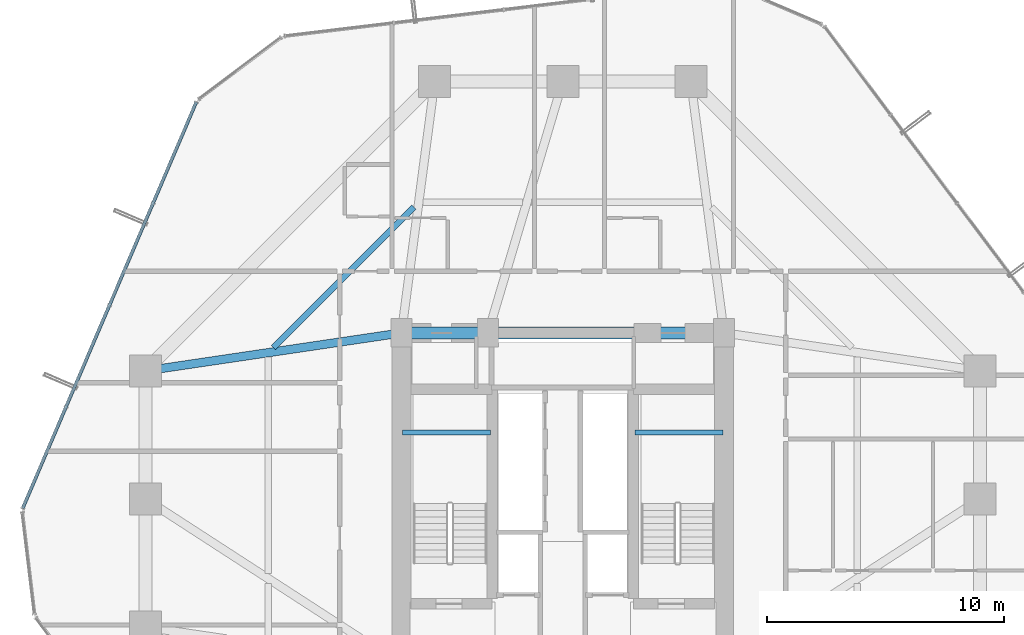
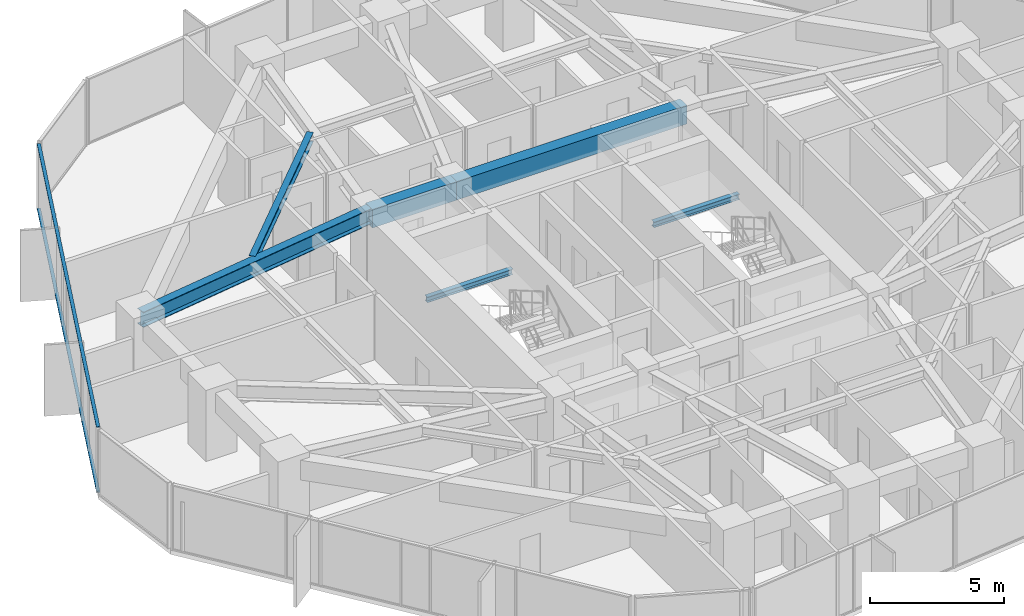
# One storey, part 13 of 37: 6 beams, 2 members, 1 element without a shape of its own.
"""IFC4 building model written with IfcOpenShell, lengths in metres."""

from ifc_helpers import new_model, si_unit, direction, frame, origin, origin_2d, place, context, subcontext, project, spatial, rectangle, hollow_rectangle, i_section, extrude, source, transform, mapped, material, layer, layer_set, material_profile, profile_set, type_object, element, aggregate, save


model = new_model("IFC4")

# Units and contexts
model_context = context("Model", 3, precision=1e-05, world=origin(), true_north=direction((0.0, 1.0)))
body_context = subcontext(model_context, "Body", "Model", "MODEL_VIEW")
ifc_project = project(units=[si_unit("LENGTHUNIT", "METRE"), si_unit("AREAUNIT", "SQUARE_METRE"), si_unit("VOLUMEUNIT", "CUBIC_METRE"), si_unit("PLANEANGLEUNIT", "RADIAN"), si_unit("MASSUNIT", "GRAM", prefix="KILO")], contexts=[model_context])

# Site, building, storey
site_placement = place(None, origin())
site = spatial("IfcSite", under=ifc_project, at=site_placement, CompositionType="ELEMENT")
building_placement = place(site_placement, origin())
building = spatial("IfcBuilding", under=site, at=building_placement, Name="Veraguas Prism Commons", CompositionType="ELEMENT")
storey_placement = place(building_placement, frame((0.0, 0.0, 46.800048828125)))
storey = spatial("IfcBuildingStorey", under=building, at=storey_placement, Name="L12", CompositionType="ELEMENT", Elevation=46.800048828125)

# Beams
ifc_material_1 = material(Name="Concrete C50/60", Category="concrete")
ifc_material_profile_1 = material_profile(ifc_material_1, rectangle(XDim=0.5, YDim=0.85009765625, at=origin_2d()), Name="RC500X850")
ifc_profile_set_1 = profile_set([ifc_material_profile_1], Name="Concrete C50/60")
beam_type_1 = type_object("IfcBeamType", Name="Core Coupling Beam RC 500x850", PredefinedType="BEAM", material=ifc_profile_set_1)
beam_1_placement = place(storey_placement, frame((17.199951171875, 31.0, 2.574951171875), z_axis=(1.0, 0.0, 0.0), x_axis=(0.0, 1.0, 0.0)))
element("IfcBeam", 1, at=beam_1_placement, inside=storey, type_object=beam_type_1, Name="Core Coupling Beam L12-CRN1", PredefinedType="BEAM", context=body_context, shape_type="SweptSolid", body=[
    extrude(rectangle(XDim=0.5, YDim=0.85009765625, at=origin_2d()), origin(), (0.0, 0.0, 1.0), 3.650146484375),
])
beam_2_placement = place(storey_placement, frame((20.85009765625, 31.0, 2.574951171875), z_axis=(1.0, 0.0, 0.0), x_axis=(0.0, 1.0, 0.0)))
element("IfcBeam", 2, at=beam_2_placement, inside=storey, type_object=beam_type_1, Name="Core Coupling Beam L12-CRN2", PredefinedType="BEAM", context=body_context, shape_type="SweptSolid", body=[
    extrude(rectangle(XDim=0.5, YDim=0.85009765625, at=origin_2d()), origin(), (0.0, 0.0, 1.0), 9.949951171875),
])
ifc_material_2 = material(Name="Steel ASTM A992 Grade 50", Category="steel")
ifc_material_profile_2 = material_profile(ifc_material_2, i_section(OverallWidth=0.260986328125, OverallDepth=0.419921875, WebThickness=0.01171875, FlangeThickness=0.019287109375, at=origin_2d()), Name="W410X114")
ifc_profile_set_2 = profile_set([ifc_material_profile_2], Name="Steel ASTM A992 Grade 50")
beam_type_2 = type_object("IfcBeamType", Name="Lower Floor Joist W410x114", PredefinedType="JOIST", material=ifc_profile_set_2)
beam_3_placement = place(storey_placement, frame((17.723388671875, 36.3076171875, 2.7900390625), z_axis=(-0.707092226423, -0.70712133565, 0.0), x_axis=(0.70712133565, -0.707092226423, 0.0)))
element("IfcBeam", 3, at=beam_3_placement, inside=storey, type_object=beam_type_2, Name="Composite Floor Joist L12-JS06", PredefinedType="JOIST", context=body_context, shape_type="SweptSolid", body=[
    extrude(i_section(OverallWidth=0.260986328125, OverallDepth=0.419921875, WebThickness=0.01171875, FlangeThickness=0.019287109375, at=origin_2d()), origin(), (0.0, 0.0, 1.0), 8.386962890625),
])
ifc_material_profile_3 = material_profile(ifc_material_2, i_section(OverallWidth=0.202880859375, OverallDepth=0.251953125, WebThickness=0.008056640625, FlangeThickness=0.013427734375, at=origin_2d()), Name="W250X58")
ifc_profile_set_3 = profile_set([ifc_material_profile_3], Name="Steel ASTM A992 Grade 50")
beam_type_3 = type_object("IfcBeamType", Name="Structural Opening Lintel W250x58", PredefinedType="LINTEL", material=ifc_profile_set_3)
for number, where, z_axis, x_axis, name in (
    (4, (17.25, 26.800048828125, 1.299072265625), (1.0, 0.0, 0.0), (0.0, 1.0, 0.0), "Stair ST-01 Half-Landing Support Beam L12-1"),
    (5, (27.050048828125, 26.800048828125, 1.299072265625), (1.0, 0.0, 0.0), (0.0, 1.0, 0.0), "Stair ST-02 Half-Landing Support Beam L12-1"),
):
    element("IfcBeam", number, at=place(storey_placement, frame(where, z_axis=z_axis, x_axis=x_axis)), inside=storey, type_object=beam_type_3, Name=name, PredefinedType="LINTEL", context=body_context, shape_type="SweptSolid", body=[
        extrude(i_section(OverallWidth=0.202880859375, OverallDepth=0.251953125, WebThickness=0.008056640625, FlangeThickness=0.013427734375, at=origin_2d()), origin(), (0.0, 0.0, 1.0), 3.699951171875),
    ])
ifc_material_profile_4 = material_profile(ifc_material_2, i_section(OverallWidth=0.35595703125, OverallDepth=0.700927734375, WebThickness=0.016845703125, FlangeThickness=0.02734375, at=origin_2d()), Name="W690X240")
ifc_profile_set_4 = profile_set([ifc_material_profile_4], Name="Steel ASTM A992 Grade 50")
beam_type_4 = type_object("IfcBeamType", Name="Zone 1 Radial Girder W690x240", PredefinedType="BEAM", material=ifc_profile_set_4)
beam_4_placement = place(storey_placement, frame((6.39990234375, 29.39990234375, 2.6494140625), z_axis=(0.989202261707, 0.146556765224, 0.0), x_axis=(-0.146556765224, 0.989202261707, 0.0)))
element("IfcBeam", 6, at=beam_4_placement, inside=storey, type_object=beam_type_4, Name="Radial Floor Girder L12-RD07", PredefinedType="BEAM", context=body_context, shape_type="SweptSolid", body=[
    extrude(i_section(OverallWidth=0.35595703125, OverallDepth=0.700927734375, WebThickness=0.016845703125, FlangeThickness=0.02734375, at=origin_2d()), origin(), (0.0, 0.0, 1.0), 10.91796875),
])

# Curtain wall, members
ifc_material_3 = material(Name="Anodised aluminium EN AW-6063 T6", Category="aluminium")
ifc_layer = layer(ifc_material_3, 0.169921875, Name="Unitised Flush Curtain Wall Zone 1", Category="aluminium")
ifc_layer_set = layer_set([ifc_layer], Name="Anodised aluminium EN AW-6063 T6")
curtain_wall_type = type_object("IfcCurtainWallType", Name="Unitised Flush Curtain Wall Zone 1", PredefinedType="NOTDEFINED", material=ifc_layer_set)
curtain_wall_placement = place(storey_placement, origin())
curtain_wall = element("IfcCurtainWall", 7, at=curtain_wall_placement, inside=storey, type_object=curtain_wall_type, Name="Tower Facade Curtain Wall L12-F3", PredefinedType="NOTDEFINED")
ifc_material_profile_5 = material_profile(ifc_material_3, hollow_rectangle(XDim=0.054931640625, YDim=0.135009765625, WallThickness=0.0029296875, at=origin_2d()), Name="AL55X135X3")
ifc_profile_set_5 = profile_set([ifc_material_profile_5], Name="Anodised aluminium EN AW-6063 T6")
member_type = type_object("IfcMemberType", Name="Curtain Wall Transom Standard AL 55x135x3", PredefinedType="USERDEFINED", material=ifc_profile_set_5)
shared_shape = source(origin(), body_context, "Body", "SweptSolid", [
    extrude(hollow_rectangle(XDim=0.054931640625, YDim=0.135009765625, WallThickness=0.0029296875, at=origin_2d()), origin(), (0.0, 0.0, 1.0), 18.623779296875),
])
member_1_placement = place(storey_placement, frame((8.546875, 40.730712890625, 0.02734375), z_axis=(-0.392971391909, -0.919550697429, 0.0), x_axis=(0.0, 0.0, 1.0)))
member_1 = element("IfcMember", 8, at=member_1_placement, type_object=member_type, Name="CW-Z1 Transom 1", ObjectType="TRANSOM", PredefinedType="USERDEFINED", context=body_context, shape_type="MappedRepresentation", body=[
    mapped(shared_shape, transform((0.0, 0.0, 0.0), scale=1.0)),
])
member_2_placement = place(storey_placement, frame((8.546875, 40.730712890625, 2.972412109375), z_axis=(-0.392971391909, -0.919550697429, 0.0), x_axis=(0.0, 0.0, 1.0)))
member_2 = element("IfcMember", 9, at=member_2_placement, type_object=member_type, Name="CW-Z1 Transom 2", ObjectType="TRANSOM", PredefinedType="USERDEFINED", context=body_context, shape_type="MappedRepresentation", body=[
    mapped(shared_shape, transform((0.0, 0.0, 0.0), scale=1.0)),
])
aggregate(curtain_wall, [member_1, member_2])

save(model, "model.ifc")
